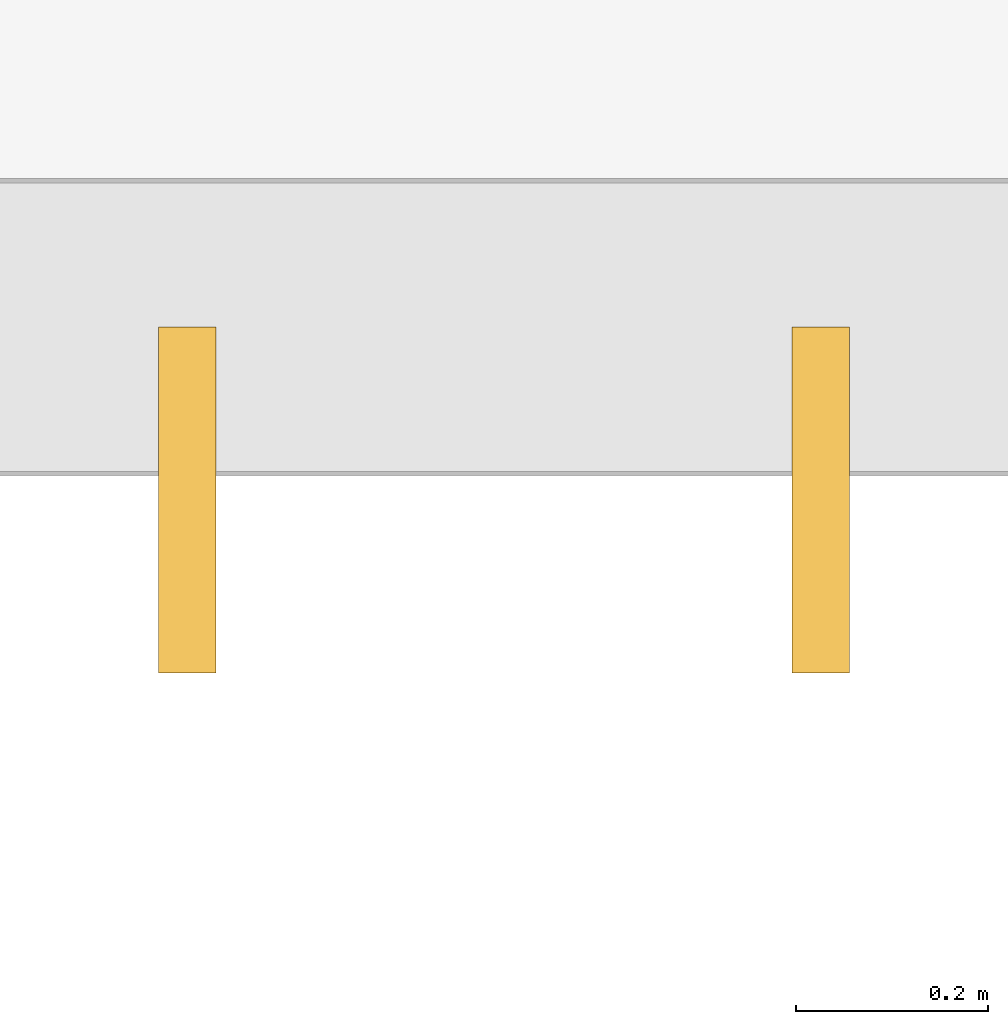
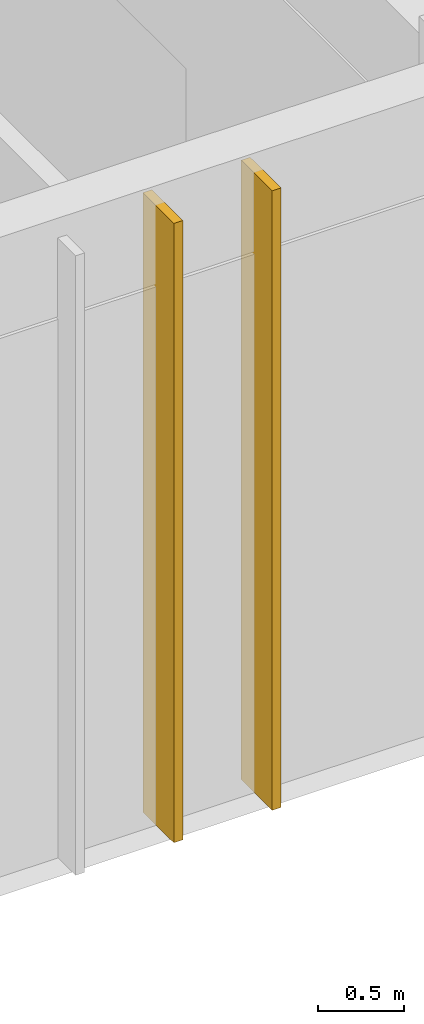
# One storey, part 76 of 82: 2 shading devices.
"""IFC4 building model written with IfcOpenShell, lengths in metres."""

from ifc_helpers import new_model, si_unit, direction, frame, origin, origin_2d, place, context, subcontext, project, spatial, rectangle, extrude, material, type_object, element, save


model = new_model("IFC4")

# Units and contexts
model_context = context("Model", 3, precision=1e-05, world=origin(), true_north=direction((0.0, 1.0)))
body_context = subcontext(model_context, "Body", "Model", "MODEL_VIEW")
ifc_project = project(units=[si_unit("LENGTHUNIT", "METRE"), si_unit("AREAUNIT", "SQUARE_METRE"), si_unit("VOLUMEUNIT", "CUBIC_METRE"), si_unit("PLANEANGLEUNIT", "RADIAN"), si_unit("MASSUNIT", "GRAM", prefix="KILO")], contexts=[model_context])

# Site, building, storey
site_placement = place(None, origin())
site = spatial("IfcSite", under=ifc_project, at=site_placement, CompositionType="ELEMENT")
building_placement = place(site_placement, origin())
building = spatial("IfcBuilding", under=site, at=building_placement, Name="Suirenkawa Promenade Aquatics Centre", CompositionType="ELEMENT")
storey_placement = place(building_placement, origin())
storey = spatial("IfcBuildingStorey", under=building, at=storey_placement, Name="L00", CompositionType="ELEMENT", Elevation=0.0)

# Shading devices
ifc_material = material(Name="Anodised aluminium 6063-T6", Category="aluminium")
shading_device_type = type_object("IfcShadingDeviceType", Name="SDT-KOUSHI-400", PredefinedType="USERDEFINED", material=ifc_material)
for number, where, z_axis, x_axis, name in (
    (1, (192.179931640625, 4.02001953125, 0.0), (0.0, 0.0, 1.0), (1.0, 0.0, 0.0), "Koushi facade sunshade FN-01 SHD-0374"),
    (2, (192.840087890625, 4.02001953125, 0.0), (0.0, 0.0, 1.0), (1.0, 0.0, 0.0), "Koushi facade sunshade FN-01 SHD-0375"),
):
    element("IfcShadingDevice", number, at=place(storey_placement, frame(where, z_axis=z_axis, x_axis=x_axis)), inside=storey, type_object=shading_device_type, Name=name, ObjectType="FIN", PredefinedType="USERDEFINED", context=body_context, shape_type="SweptSolid", body=[
        extrude(rectangle(XDim=0.06005859375, YDim=0.360107421875, at=origin_2d()), origin(), (0.0, 0.0, 1.0), 4.39990234375),
    ])

save(model, "model.ifc")
